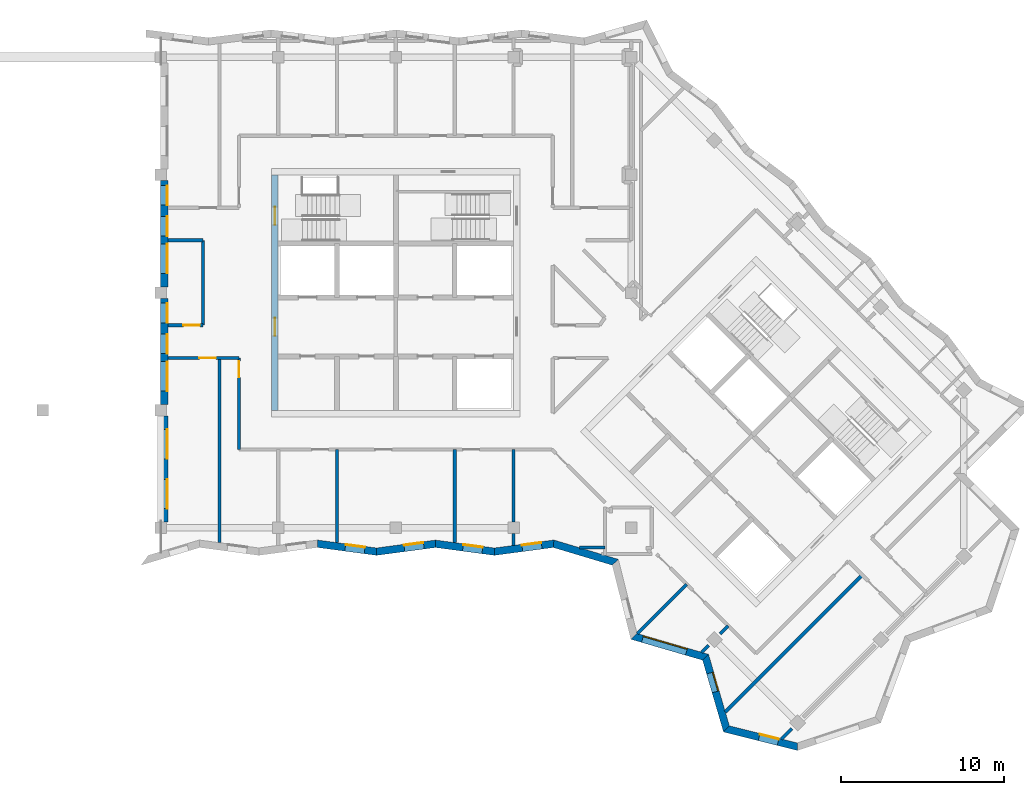
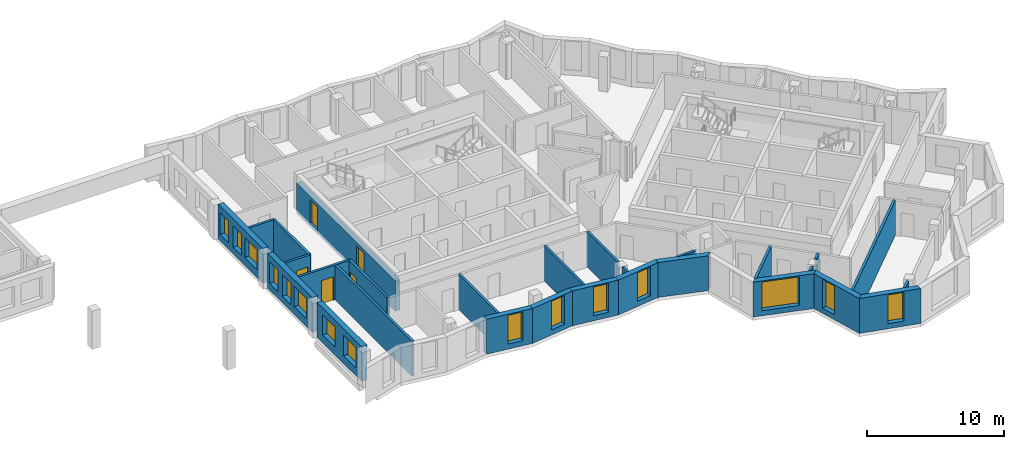
# One storey, part 2 of 13: 28 walls, 15 windows, 5 doors, 20 openings.
"""IFC4 building model written with IfcOpenShell, lengths in metres."""

from ifc_helpers import new_model, si_unit, direction, frame, frame_2d, origin, place, context, subcontext, project, spatial, polyline, rectangle, outline, extrude, material, layer, layer_set, type_object, element, fill, save


model = new_model("IFC4")

# Units and contexts
model_context = context("Model", 3, precision=1e-05, world=origin(), true_north=direction((0.0, 1.0)))
body_context = subcontext(model_context, "Body", "Model", "MODEL_VIEW")
ifc_project = project(units=[si_unit("LENGTHUNIT", "METRE"), si_unit("AREAUNIT", "SQUARE_METRE"), si_unit("VOLUMEUNIT", "CUBIC_METRE"), si_unit("PLANEANGLEUNIT", "RADIAN"), si_unit("MASSUNIT", "GRAM", prefix="KILO")], contexts=[model_context])

# Site, building, storey
site_placement = place(None, origin())
site = spatial("IfcSite", under=ifc_project, at=site_placement, CompositionType="ELEMENT")
building_placement = place(site_placement, origin())
building = spatial("IfcBuilding", under=site, at=building_placement, Name="Windrow Commons", CompositionType="ELEMENT")
storey_placement = place(building_placement, frame((0.0, 0.0, 264.2)))
storey = spatial("IfcBuildingStorey", under=building, at=storey_placement, Name="L72", CompositionType="ELEMENT", Elevation=264.2)

# Wall, opening, window
ifc_material_1 = material(Name="Brick masonry, red clay brick", Category="masonry")
ifc_layer_1 = layer(ifc_material_1, 0.45)
ifc_layer_set_1 = layer_set([ifc_layer_1], Name="Brick facade wall 450")
wall_type_1 = type_object("IfcWallType", Name="Brick facade wall 450", PredefinedType="SOLIDWALL", material=ifc_layer_set_1)
wall_1_placement = place(storey_placement, frame((60.0142, 42.227, 0.0), z_axis=(0.0, 0.0, 1.0), x_axis=(0.991178361, -0.132534738, 0.0)))
wall_1 = element("IfcWall", 1, at=wall_1_placement, inside=storey, type_object=wall_type_1, Name="Brick facade wall L72 41", PredefinedType="SOLIDWALL", context=body_context, shape_type="SweptSolid", body=[
    extrude(outline(polyline([(0.0301, -0.225), (3.6669, -0.225), (3.6067, 0.225), (-0.0301, 0.225), (0.0301, -0.225)])), origin(), (0.0, 0.0, 1.0), 3.1),
])
opening_1_placement = place(wall_1_placement, frame((1.7015, 0.0, 0.45)))
opening_1 = element("IfcOpeningElement", 2, at=opening_1_placement, cuts=wall_1, Name="Opening W7F", PredefinedType="OPENING", context=body_context, shape_type="SweptSolid", body=[
    extrude(rectangle(XDim=1.2, YDim=2.55, at=frame_2d((0.6, 1.275))), frame((0.0, 0.235, 0.0), z_axis=(0.0, -1.0, 0.0), x_axis=(1.0, 0.0, 0.0)), (0.0, 0.0, 1.0), 0.47),
])
ifc_material_2 = material(Name="Clear float glass in anodised aluminium frame", Category="aluminium")
window_type_1 = type_object("IfcWindowType", Name="Window W7 notch 1200x2550", PartitioningType="SINGLE_PANEL", PredefinedType="WINDOW", material=ifc_material_2)
window_1_placement = place(opening_1_placement, origin())
window_1 = element("IfcWindow", 3, at=window_1_placement, inside=storey, type_object=window_type_1, Name="Window L72 41.1", OverallHeight=2.55, OverallWidth=1.2, PartitioningType="SINGLE_PANEL", PredefinedType="WINDOW", context=body_context, shape_type="SweptSolid", body=[
    extrude(rectangle(XDim=1.2, YDim=2.55, at=frame_2d((0.6, 1.275))), frame((0.0, 0.205, 0.0), z_axis=(0.0, -1.0, 0.0), x_axis=(1.0, 0.0, 0.0)), (0.0, 0.0, 1.0), 0.06),
])
fill(opening_1, window_1)

wall_2_placement = place(storey_placement, frame((63.6189, 41.745, 0.0), z_axis=(0.0, 0.0, 1.0), x_axis=(0.9911788439, 0.1325311259, 0.0)))
wall_2 = element("IfcWall", 4, at=wall_2_placement, inside=storey, type_object=wall_type_1, Name="Brick facade wall L72 42", PredefinedType="SOLIDWALL", context=body_context, shape_type="SweptSolid", body=[
    extrude(outline(polyline([(-0.0301, -0.225), (3.6067, -0.225), (3.6669, 0.225), (0.0301, 0.225), (-0.0301, -0.225)])), origin(), (0.0, 0.0, 1.0), 3.1),
])
opening_2_placement = place(wall_2_placement, frame((1.7142, 0.0, 0.45)))
opening_2 = element("IfcOpeningElement", 5, at=opening_2_placement, cuts=wall_2, Name="Opening W7F", PredefinedType="OPENING", context=body_context, shape_type="SweptSolid", body=[
    extrude(rectangle(XDim=1.2, YDim=2.55, at=frame_2d((0.6, 1.275))), frame((0.0, 0.235, 0.0), z_axis=(0.0, -1.0, 0.0), x_axis=(1.0, 0.0, 0.0)), (0.0, 0.0, 1.0), 0.47),
])
window_2_placement = place(opening_2_placement, origin())
window_2 = element("IfcWindow", 6, at=window_2_placement, inside=storey, type_object=window_type_1, Name="Window L72 42.1", OverallHeight=2.55, OverallWidth=1.2, PartitioningType="SINGLE_PANEL", PredefinedType="WINDOW", context=body_context, shape_type="SweptSolid", body=[
    extrude(rectangle(XDim=1.2, YDim=2.55, at=frame_2d((0.6, 1.275))), frame((0.0, 0.205, 0.0), z_axis=(0.0, -1.0, 0.0), x_axis=(1.0, 0.0, 0.0)), (0.0, 0.0, 1.0), 0.06),
])
fill(opening_2, window_2)

wall_3_placement = place(storey_placement, frame((67.2237, 42.227, 0.0), z_axis=(0.0, 0.0, 1.0), x_axis=(0.991178361, -0.132534738, 0.0)))
wall_3 = element("IfcWall", 7, at=wall_3_placement, inside=storey, type_object=wall_type_1, Name="Brick facade wall L72 43", PredefinedType="SOLIDWALL", context=body_context, shape_type="SweptSolid", body=[
    extrude(outline(polyline([(0.0301, -0.225), (3.6669, -0.225), (3.6067, 0.225), (-0.0301, 0.225), (0.0301, -0.225)])), origin(), (0.0, 0.0, 1.0), 3.1),
])
opening_3_placement = place(wall_3_placement, frame((1.6968, 0.0, 0.45)))
opening_3 = element("IfcOpeningElement", 8, at=opening_3_placement, cuts=wall_3, Name="Opening W7F", PredefinedType="OPENING", context=body_context, shape_type="SweptSolid", body=[
    extrude(rectangle(XDim=1.2, YDim=2.55, at=frame_2d((0.6, 1.275))), frame((0.0, 0.235, 0.0), z_axis=(0.0, -1.0, 0.0), x_axis=(1.0, 0.0, 0.0)), (0.0, 0.0, 1.0), 0.47),
])
window_3_placement = place(opening_3_placement, origin())
window_3 = element("IfcWindow", 9, at=window_3_placement, inside=storey, type_object=window_type_1, Name="Window L72 43.1", OverallHeight=2.55, OverallWidth=1.2, PartitioningType="SINGLE_PANEL", PredefinedType="WINDOW", context=body_context, shape_type="SweptSolid", body=[
    extrude(rectangle(XDim=1.2, YDim=2.55, at=frame_2d((0.6, 1.275))), frame((0.0, 0.205, 0.0), z_axis=(0.0, -1.0, 0.0), x_axis=(1.0, 0.0, 0.0)), (0.0, 0.0, 1.0), 0.06),
])
fill(opening_3, window_3)

wall_4_placement = place(storey_placement, frame((70.8284, 41.745, 0.0), z_axis=(0.0, 0.0, 1.0), x_axis=(0.991180049, 0.1325221131, 0.0)))
wall_4 = element("IfcWall", 10, at=wall_4_placement, inside=storey, type_object=wall_type_1, Name="Brick facade wall L72 44", PredefinedType="SOLIDWALL", context=body_context, shape_type="SweptSolid", body=[
    extrude(outline(polyline([(-0.0301, -0.225), (3.6067, -0.225), (3.7037, 0.225), (0.0301, 0.225), (-0.0301, -0.225)])), origin(), (0.0, 0.0, 1.0), 3.1),
])
opening_4_placement = place(wall_4_placement, frame((1.7186, 0.0, 0.45)))
opening_4 = element("IfcOpeningElement", 11, at=opening_4_placement, cuts=wall_4, Name="Opening W7F", PredefinedType="OPENING", context=body_context, shape_type="SweptSolid", body=[
    extrude(rectangle(XDim=1.2, YDim=2.55, at=frame_2d((0.6, 1.275))), frame((0.0, 0.235, 0.0), z_axis=(0.0, -1.0, 0.0), x_axis=(1.0, 0.0, 0.0)), (0.0, 0.0, 1.0), 0.47),
])
window_4_placement = place(opening_4_placement, origin())
window_4 = element("IfcWindow", 12, at=window_4_placement, inside=storey, type_object=window_type_1, Name="Window L72 44.1", OverallHeight=2.55, OverallWidth=1.2, PartitioningType="SINGLE_PANEL", PredefinedType="WINDOW", context=body_context, shape_type="SweptSolid", body=[
    extrude(rectangle(XDim=1.2, YDim=2.55, at=frame_2d((0.6, 1.275))), frame((0.0, 0.205, 0.0), z_axis=(0.0, -1.0, 0.0), x_axis=(1.0, 0.0, 0.0)), (0.0, 0.0, 1.0), 0.06),
])
fill(opening_4, window_4)

# Wall
wall_5_placement = place(storey_placement, frame((74.4514, 42.2294, 0.0), z_axis=(0.0, 0.0, 1.0), x_axis=(0.957789952, -0.2874689685, 0.0)))
element("IfcWall", 13, at=wall_5_placement, inside=storey, type_object=wall_type_1, Name="Brick facade wall L72 45", PredefinedType="SOLIDWALL", context=body_context, shape_type="SweptSolid", body=[
    extrude(outline(polyline([(0.0485, -0.225), (3.8121, -0.225), (4.0677, 0.225), (-0.0485, 0.225), (0.0485, -0.225)])), origin(), (0.0, 0.0, 1.0), 3.1),
])

# Wall, opening, window
wall_6_placement = place(storey_placement, frame((79.3637, 36.5648, 0.0), z_axis=(0.0, 0.0, 1.0), x_axis=(0.9600215683, -0.2799260409, 0.0)))
wall_6 = element("IfcWall", 14, at=wall_6_placement, inside=storey, type_object=wall_type_1, Name="Brick facade wall L72 47", PredefinedType="SOLIDWALL", context=body_context, shape_type="SweptSolid", body=[
    extrude(outline(polyline([(-0.129, -0.225), (4.4456, -0.225), (4.6925, 0.225), (0.129, 0.225), (-0.129, -0.225)])), origin(), (0.0, 0.0, 1.0), 3.1),
])
opening_5_placement = place(wall_6_placement, frame((0.5542, 0.0, 0.45)))
opening_5 = element("IfcOpeningElement", 15, at=opening_5_placement, cuts=wall_6, Name="Opening W1V", PredefinedType="OPENING", context=body_context, shape_type="SweptSolid", body=[
    extrude(rectangle(XDim=2.8, YDim=2.55, at=frame_2d((1.4, 1.275))), frame((0.0, 0.235, 0.0), z_axis=(0.0, -1.0, 0.0), x_axis=(1.0, 0.0, 0.0)), (0.0, 0.0, 1.0), 0.47),
])
ifc_material_3 = material(Name="Clear float glass in anodised aluminium frame", Category="aluminium")
window_type_2 = type_object("IfcWindowType", Name="Window W1V bedroom 2800x2550", PartitioningType="SINGLE_PANEL", PredefinedType="WINDOW", material=ifc_material_3)
window_5_placement = place(opening_5_placement, origin())
window_5 = element("IfcWindow", 16, at=window_5_placement, inside=storey, type_object=window_type_2, Name="Window L72 47.1", OverallHeight=2.55, OverallWidth=2.8, PartitioningType="SINGLE_PANEL", PredefinedType="WINDOW", context=body_context, shape_type="SweptSolid", body=[
    extrude(rectangle(XDim=2.8, YDim=2.55, at=frame_2d((1.4, 1.275))), frame((0.0, 0.205, 0.0), z_axis=(0.0, -1.0, 0.0), x_axis=(1.0, 0.0, 0.0)), (0.0, 0.0, 1.0), 0.06),
])
fill(opening_5, window_5)

wall_7_placement = place(storey_placement, frame((83.7501, 35.2858, 0.0), z_axis=(0.0, 0.0, 1.0), x_axis=(0.2799260409, -0.9600215683, 0.0)))
wall_7 = element("IfcWall", 17, at=wall_7_placement, inside=storey, type_object=wall_type_1, Name="Brick facade wall L72 48", PredefinedType="SOLIDWALL", context=body_context, shape_type="SweptSolid", body=[
    extrude(outline(polyline([(0.1234, -0.225), (4.698, -0.225), (4.4401, 0.225), (-0.1234, 0.225), (0.1234, -0.225)])), origin(), (0.0, 0.0, 1.0), 3.1),
])
opening_6_placement = place(wall_7_placement, frame((1.003, 0.0, 0.45)))
opening_6 = element("IfcOpeningElement", 18, at=opening_6_placement, cuts=wall_7, Name="Opening W7F", PredefinedType="OPENING", context=body_context, shape_type="SweptSolid", body=[
    extrude(rectangle(XDim=1.2, YDim=2.55, at=frame_2d((0.6, 1.275))), frame((0.0, 0.235, 0.0), z_axis=(0.0, -1.0, 0.0), x_axis=(1.0, 0.0, 0.0)), (0.0, 0.0, 1.0), 0.47),
])
window_6_placement = place(opening_6_placement, origin())
window_6 = element("IfcWindow", 19, at=window_6_placement, inside=storey, type_object=window_type_1, Name="Window L72 48.1", OverallHeight=2.55, OverallWidth=1.2, PartitioningType="SINGLE_PANEL", PredefinedType="WINDOW", context=body_context, shape_type="SweptSolid", body=[
    extrude(rectangle(XDim=1.2, YDim=2.55, at=frame_2d((0.6, 1.275))), frame((0.0, 0.205, 0.0), z_axis=(0.0, -1.0, 0.0), x_axis=(1.0, 0.0, 0.0)), (0.0, 0.0, 1.0), 0.06),
])
fill(opening_6, window_6)

wall_8_placement = place(storey_placement, frame((85.0291, 30.8994, 0.0), z_axis=(0.0, 0.0, 1.0), x_axis=(0.9698515846, -0.2436963354, 0.0)))
wall_8 = element("IfcWall", 20, at=wall_8_placement, inside=storey, type_object=wall_type_1, Name="Brick facade wall L72 49", PredefinedType="SOLIDWALL", context=body_context, shape_type="SweptSolid", body=[
    extrude(outline(polyline([(-0.129, -0.225), (4.5451, -0.225), (4.4138, 0.225), (0.129, 0.225), (-0.129, -0.225)])), origin(), (0.0, 0.0, 1.0), 3.1),
])
opening_7_placement = place(wall_8_placement, frame((2.0637, 0.0, 0.45)))
opening_7 = element("IfcOpeningElement", 21, at=opening_7_placement, cuts=wall_8, Name="Opening W7F", PredefinedType="OPENING", context=body_context, shape_type="SweptSolid", body=[
    extrude(rectangle(XDim=1.2, YDim=2.55, at=frame_2d((0.6, 1.275))), frame((0.0, 0.235, 0.0), z_axis=(0.0, -1.0, 0.0), x_axis=(1.0, 0.0, 0.0)), (0.0, 0.0, 1.0), 0.47),
])
window_7_placement = place(opening_7_placement, origin())
window_7 = element("IfcWindow", 22, at=window_7_placement, inside=storey, type_object=window_type_1, Name="Window L72 49.1", OverallHeight=2.55, OverallWidth=1.2, PartitioningType="SINGLE_PANEL", PredefinedType="WINDOW", context=body_context, shape_type="SweptSolid", body=[
    extrude(rectangle(XDim=1.2, YDim=2.55, at=frame_2d((0.6, 1.275))), frame((0.0, 0.205, 0.0), z_axis=(0.0, -1.0, 0.0), x_axis=(1.0, 0.0, 0.0)), (0.0, 0.0, 1.0), 0.06),
])
fill(opening_7, window_7)

# Wall, openings, windows
wall_9_placement = place(storey_placement, frame((50.625, 64.45, 0.0), z_axis=(0.0, 0.0, 1.0), x_axis=(0.0, -1.0, 0.0)))
wall_9 = element("IfcWall", 23, at=wall_9_placement, inside=storey, type_object=wall_type_1, Name="Brick portal return L72 12.2", PredefinedType="SOLIDWALL", context=body_context, shape_type="SweptSolid", body=[
    extrude(rectangle(XDim=6.5, YDim=0.45, at=frame_2d((3.25, 0.0))), origin(), (0.0, 0.0, 1.0), 3.1),
])
opening_8_placement = place(wall_9_placement, frame((3.875, 0.0, 0.7)))
opening_8 = element("IfcOpeningElement", 24, at=opening_8_placement, cuts=wall_9, Name="Opening W8", PredefinedType="OPENING", context=body_context, shape_type="SweptSolid", body=[
    extrude(rectangle(XDim=1.8, YDim=1.8, at=frame_2d((0.9, 0.9))), frame((0.0, 0.235, 0.0), z_axis=(0.0, -1.0, 0.0), x_axis=(1.0, 0.0, 0.0)), (0.0, 0.0, 1.0), 0.47),
])
opening_9_placement = place(wall_9_placement, frame((0.3, 0.0, 0.6)))
opening_9 = element("IfcOpeningElement", 25, at=opening_9_placement, cuts=wall_9, Name="Opening W7G", PredefinedType="OPENING", context=body_context, shape_type="SweptSolid", body=[
    extrude(rectangle(XDim=1.2, YDim=1.9, at=frame_2d((0.6, 0.95))), frame((0.0, 0.235, 0.0), z_axis=(0.0, -1.0, 0.0), x_axis=(1.0, 0.0, 0.0)), (0.0, 0.0, 1.0), 0.47),
])
opening_10_placement = place(wall_9_placement, frame((2.1875, 0.0, 0.6)))
opening_10 = element("IfcOpeningElement", 26, at=opening_10_placement, cuts=wall_9, Name="Opening W7G", PredefinedType="OPENING", context=body_context, shape_type="SweptSolid", body=[
    extrude(rectangle(XDim=1.2, YDim=1.9, at=frame_2d((0.6, 0.95))), frame((0.0, 0.235, 0.0), z_axis=(0.0, -1.0, 0.0), x_axis=(1.0, 0.0, 0.0)), (0.0, 0.0, 1.0), 0.47),
])
ifc_material_4 = material(Name="Clear float glass in anodised aluminium frame", Category="aluminium")
window_type_3 = type_object("IfcWindowType", Name="Window W7 notch 1200x1900", PartitioningType="SINGLE_PANEL", PredefinedType="WINDOW", material=ifc_material_4)
window_8_placement = place(opening_9_placement, origin())
window_8 = element("IfcWindow", 27, at=window_8_placement, inside=storey, type_object=window_type_3, Name="Window L72 portal 12.2.1A", OverallHeight=1.9, OverallWidth=1.2, PartitioningType="SINGLE_PANEL", PredefinedType="WINDOW", context=body_context, shape_type="SweptSolid", body=[
    extrude(rectangle(XDim=1.2, YDim=1.9, at=frame_2d((0.6, 0.95))), frame((0.0, 0.205, 0.0), z_axis=(0.0, -1.0, 0.0), x_axis=(1.0, 0.0, 0.0)), (0.0, 0.0, 1.0), 0.06),
])
fill(opening_9, window_8)
window_9_placement = place(opening_10_placement, origin())
window_9 = element("IfcWindow", 28, at=window_9_placement, inside=storey, type_object=window_type_3, Name="Window L72 portal 12.2.1B", OverallHeight=1.9, OverallWidth=1.2, PartitioningType="SINGLE_PANEL", PredefinedType="WINDOW", context=body_context, shape_type="SweptSolid", body=[
    extrude(rectangle(XDim=1.2, YDim=1.9, at=frame_2d((0.6, 0.95))), frame((0.0, 0.205, 0.0), z_axis=(0.0, -1.0, 0.0), x_axis=(1.0, 0.0, 0.0)), (0.0, 0.0, 1.0), 0.06),
])
fill(opening_10, window_9)
ifc_material_5 = material(Name="Clear float glass in anodised aluminium frame", Category="aluminium")
window_type_4 = type_object("IfcWindowType", Name="Window W8 portal 1800x1800", PartitioningType="SINGLE_PANEL", PredefinedType="WINDOW", material=ifc_material_5)
window_10_placement = place(opening_8_placement, origin())
window_10 = element("IfcWindow", 29, at=window_10_placement, inside=storey, type_object=window_type_4, Name="Window L72 portal 12.2.2", OverallHeight=1.8, OverallWidth=1.8, PartitioningType="SINGLE_PANEL", PredefinedType="WINDOW", context=body_context, shape_type="SweptSolid", body=[
    extrude(rectangle(XDim=1.8, YDim=1.8, at=frame_2d((0.9, 0.9))), frame((0.0, 0.205, 0.0), z_axis=(0.0, -1.0, 0.0), x_axis=(1.0, 0.0, 0.0)), (0.0, 0.0, 1.0), 0.06),
])
fill(opening_8, window_10)

wall_10_placement = place(storey_placement, frame((50.625, 57.25, 0.0), z_axis=(0.0, 0.0, 1.0), x_axis=(0.0, -1.0, 0.0)))
wall_10 = element("IfcWall", 30, at=wall_10_placement, inside=storey, type_object=wall_type_1, Name="Brick portal return L72 12.3", PredefinedType="SOLIDWALL", context=body_context, shape_type="SweptSolid", body=[
    extrude(rectangle(XDim=6.5, YDim=0.45, at=frame_2d((3.25, 0.0))), origin(), (0.0, 0.0, 1.0), 3.1),
])
opening_11_placement = place(wall_10_placement, frame((3.875, 0.0, 0.7)))
opening_11 = element("IfcOpeningElement", 31, at=opening_11_placement, cuts=wall_10, Name="Opening W8", PredefinedType="OPENING", context=body_context, shape_type="SweptSolid", body=[
    extrude(rectangle(XDim=1.8, YDim=1.8, at=frame_2d((0.9, 0.9))), frame((0.0, 0.235, 0.0), z_axis=(0.0, -1.0, 0.0), x_axis=(1.0, 0.0, 0.0)), (0.0, 0.0, 1.0), 0.47),
])
opening_12_placement = place(wall_10_placement, frame((0.3, 0.0, 0.6)))
opening_12 = element("IfcOpeningElement", 32, at=opening_12_placement, cuts=wall_10, Name="Opening W7G", PredefinedType="OPENING", context=body_context, shape_type="SweptSolid", body=[
    extrude(rectangle(XDim=1.2, YDim=1.9, at=frame_2d((0.6, 0.95))), frame((0.0, 0.235, 0.0), z_axis=(0.0, -1.0, 0.0), x_axis=(1.0, 0.0, 0.0)), (0.0, 0.0, 1.0), 0.47),
])
opening_13_placement = place(wall_10_placement, frame((2.1875, 0.0, 0.6)))
opening_13 = element("IfcOpeningElement", 33, at=opening_13_placement, cuts=wall_10, Name="Opening W7G", PredefinedType="OPENING", context=body_context, shape_type="SweptSolid", body=[
    extrude(rectangle(XDim=1.2, YDim=1.9, at=frame_2d((0.6, 0.95))), frame((0.0, 0.235, 0.0), z_axis=(0.0, -1.0, 0.0), x_axis=(1.0, 0.0, 0.0)), (0.0, 0.0, 1.0), 0.47),
])
window_11_placement = place(opening_12_placement, origin())
window_11 = element("IfcWindow", 34, at=window_11_placement, inside=storey, type_object=window_type_3, Name="Window L72 portal 12.3.1A", OverallHeight=1.9, OverallWidth=1.2, PartitioningType="SINGLE_PANEL", PredefinedType="WINDOW", context=body_context, shape_type="SweptSolid", body=[
    extrude(rectangle(XDim=1.2, YDim=1.9, at=frame_2d((0.6, 0.95))), frame((0.0, 0.205, 0.0), z_axis=(0.0, -1.0, 0.0), x_axis=(1.0, 0.0, 0.0)), (0.0, 0.0, 1.0), 0.06),
])
fill(opening_12, window_11)
window_12_placement = place(opening_13_placement, origin())
window_12 = element("IfcWindow", 35, at=window_12_placement, inside=storey, type_object=window_type_3, Name="Window L72 portal 12.3.1B", OverallHeight=1.9, OverallWidth=1.2, PartitioningType="SINGLE_PANEL", PredefinedType="WINDOW", context=body_context, shape_type="SweptSolid", body=[
    extrude(rectangle(XDim=1.2, YDim=1.9, at=frame_2d((0.6, 0.95))), frame((0.0, 0.205, 0.0), z_axis=(0.0, -1.0, 0.0), x_axis=(1.0, 0.0, 0.0)), (0.0, 0.0, 1.0), 0.06),
])
fill(opening_13, window_12)
window_13_placement = place(opening_11_placement, origin())
window_13 = element("IfcWindow", 36, at=window_13_placement, inside=storey, type_object=window_type_4, Name="Window L72 portal 12.3.2", OverallHeight=1.8, OverallWidth=1.8, PartitioningType="SINGLE_PANEL", PredefinedType="WINDOW", context=body_context, shape_type="SweptSolid", body=[
    extrude(rectangle(XDim=1.8, YDim=1.8, at=frame_2d((0.9, 0.9))), frame((0.0, 0.205, 0.0), z_axis=(0.0, -1.0, 0.0), x_axis=(1.0, 0.0, 0.0)), (0.0, 0.0, 1.0), 0.06),
])
fill(opening_11, window_13)

wall_11_placement = place(storey_placement, frame((50.625, 50.05, 0.0), z_axis=(0.0, 0.0, 1.0), x_axis=(0.0, -1.0, 0.0)))
wall_11 = element("IfcWall", 37, at=wall_11_placement, inside=storey, type_object=wall_type_1, Name="Brick portal return L72 12.4", PredefinedType="SOLIDWALL", context=body_context, shape_type="SweptSolid", body=[
    extrude(rectangle(XDim=6.5, YDim=0.45, at=frame_2d((3.25, 0.0))), origin(), (0.0, 0.0, 1.0), 3.1),
])
opening_14_placement = place(wall_11_placement, frame((0.825, 0.0, 0.7)))
opening_14 = element("IfcOpeningElement", 38, at=opening_14_placement, cuts=wall_11, Name="Opening W8", PredefinedType="OPENING", context=body_context, shape_type="SweptSolid", body=[
    extrude(rectangle(XDim=1.8, YDim=1.8, at=frame_2d((0.9, 0.9))), frame((0.0, 0.235, 0.0), z_axis=(0.0, -1.0, 0.0), x_axis=(1.0, 0.0, 0.0)), (0.0, 0.0, 1.0), 0.47),
])
opening_15_placement = place(wall_11_placement, frame((3.875, 0.0, 0.7)))
opening_15 = element("IfcOpeningElement", 39, at=opening_15_placement, cuts=wall_11, Name="Opening W8", PredefinedType="OPENING", context=body_context, shape_type="SweptSolid", body=[
    extrude(rectangle(XDim=1.8, YDim=1.8, at=frame_2d((0.9, 0.9))), frame((0.0, 0.235, 0.0), z_axis=(0.0, -1.0, 0.0), x_axis=(1.0, 0.0, 0.0)), (0.0, 0.0, 1.0), 0.47),
])
window_14_placement = place(opening_14_placement, origin())
window_14 = element("IfcWindow", 40, at=window_14_placement, inside=storey, type_object=window_type_4, Name="Window L72 portal 12.4.1", OverallHeight=1.8, OverallWidth=1.8, PartitioningType="SINGLE_PANEL", PredefinedType="WINDOW", context=body_context, shape_type="SweptSolid", body=[
    extrude(rectangle(XDim=1.8, YDim=1.8, at=frame_2d((0.9, 0.9))), frame((0.0, 0.205, 0.0), z_axis=(0.0, -1.0, 0.0), x_axis=(1.0, 0.0, 0.0)), (0.0, 0.0, 1.0), 0.06),
])
fill(opening_14, window_14)
window_15_placement = place(opening_15_placement, origin())
window_15 = element("IfcWindow", 41, at=window_15_placement, inside=storey, type_object=window_type_4, Name="Window L72 portal 12.4.2", OverallHeight=1.8, OverallWidth=1.8, PartitioningType="SINGLE_PANEL", PredefinedType="WINDOW", context=body_context, shape_type="SweptSolid", body=[
    extrude(rectangle(XDim=1.8, YDim=1.8, at=frame_2d((0.9, 0.9))), frame((0.0, 0.205, 0.0), z_axis=(0.0, -1.0, 0.0), x_axis=(1.0, 0.0, 0.0)), (0.0, 0.0, 1.0), 0.06),
])
fill(opening_15, window_15)

# Wall, opening, door
ifc_material_6 = material(Name="Blockwork partition", Category="masonry")
ifc_layer_2 = layer(ifc_material_6, 0.2)
ifc_layer_set_2 = layer_set([ifc_layer_2], Name="IW-CORRIDOR-200")
wall_type_2 = type_object("IfcWallType", Name="IW-CORRIDOR-200", PredefinedType="PARTITIONING", material=ifc_layer_set_2)
wall_12_placement = place(storey_placement, frame((55.2, 48.0, 0.0), z_axis=(0.0, 0.0, 1.0), x_axis=(0.0, 1.0, 0.0)))
wall_12 = element("IfcWall", 42, at=wall_12_placement, inside=storey, type_object=wall_type_2, Name="W-L72-W017", PredefinedType="PARTITIONING", context=body_context, shape_type="SweptSolid", body=[
    extrude(rectangle(XDim=5.6, YDim=0.2, at=frame_2d((2.8, 0.0))), origin(), (0.0, 0.0, 1.0), 3.1),
])
opening_16_placement = place(wall_12_placement, frame((4.4058, 0.0, 0.0)))
opening_16 = element("IfcOpeningElement", 43, at=opening_16_placement, cuts=wall_12, Name="Opening D310F", PredefinedType="OPENING", context=body_context, shape_type="SweptSolid", body=[
    extrude(rectangle(XDim=1.0, YDim=2.1, at=frame_2d((0.5, 1.05))), frame((0.0, 0.11, 0.0), z_axis=(0.0, -1.0, 0.0), x_axis=(1.0, 0.0, 0.0)), (0.0, 0.0, 1.0), 0.22),
])
ifc_material_7 = material(Name="Timber door leaf", Category="wood")
door_type_1 = type_object("IfcDoorType", Name="DT-AMENITY-1000", OperationType="SINGLE_SWING_LEFT", PredefinedType="DOOR", material=ifc_material_7)
door_1_placement = place(opening_16_placement, origin())
door_1 = element("IfcDoor", 44, at=door_1_placement, inside=storey, type_object=door_type_1, Name="D-L72-D001", OperationType="SINGLE_SWING_RIGHT", OverallHeight=2.1, OverallWidth=1.0, PredefinedType="DOOR", context=body_context, shape_type="SweptSolid", body=[
    extrude(rectangle(XDim=1.0, YDim=2.1, at=frame_2d((0.5, 1.05))), frame((0.0, 0.025, 0.0), z_axis=(0.0, -1.0, 0.0), x_axis=(1.0, 0.0, 0.0)), (0.0, 0.0, 1.0), 0.05),
])
fill(opening_16, door_1)

# Wall
wall_13_placement = place(storey_placement, frame((53.0, 55.602, 0.0), z_axis=(0.0, 0.0, 1.0), x_axis=(0.0, 1.0, 0.0)))
element("IfcWall", 45, at=wall_13_placement, inside=storey, type_object=wall_type_2, Name="W-L72-W021", PredefinedType="PARTITIONING", context=body_context, shape_type="SweptSolid", body=[
    extrude(rectangle(XDim=5.198, YDim=0.2, at=frame_2d((2.599, 0.0))), origin(), (0.0, 0.0, 1.0), 3.1),
])

# Wall, opening, door
wall_14_placement = place(storey_placement, frame((50.85, 53.6, 0.0), z_axis=(0.0, 0.0, 1.0), x_axis=(1.0, 0.0, 0.0)))
wall_14 = element("IfcWall", 46, at=wall_14_placement, inside=storey, type_object=wall_type_2, Name="W-L72-W036", PredefinedType="PARTITIONING", context=body_context, shape_type="SweptSolid", body=[
    extrude(rectangle(XDim=4.35, YDim=0.2, at=frame_2d((2.175, 0.0))), origin(), (0.0, 0.0, 1.0), 3.1),
])
opening_17_placement = place(wall_14_placement, frame((1.9314, 0.0, 0.0)))
opening_17 = element("IfcOpeningElement", 47, at=opening_17_placement, cuts=wall_14, Name="Opening D310F", PredefinedType="OPENING", context=body_context, shape_type="SweptSolid", body=[
    extrude(rectangle(XDim=1.0, YDim=2.1, at=frame_2d((0.5, 1.05))), frame((0.0, 0.11, 0.0), z_axis=(0.0, -1.0, 0.0), x_axis=(1.0, 0.0, 0.0)), (0.0, 0.0, 1.0), 0.22),
])
door_2_placement = place(opening_17_placement, origin())
door_2 = element("IfcDoor", 48, at=door_2_placement, inside=storey, type_object=door_type_1, Name="D-L72-D000", OperationType="SINGLE_SWING_LEFT", OverallHeight=2.1, OverallWidth=1.0, PredefinedType="DOOR", context=body_context, shape_type="SweptSolid", body=[
    extrude(rectangle(XDim=1.0, YDim=2.1, at=frame_2d((0.5, 1.05))), frame((0.0, 0.025, 0.0), z_axis=(0.0, -1.0, 0.0), x_axis=(1.0, 0.0, 0.0)), (0.0, 0.0, 1.0), 0.05),
])
fill(opening_17, door_2)

wall_15_placement = place(storey_placement, frame((50.85, 55.6, 0.0), z_axis=(0.0, 0.0, 1.0), x_axis=(1.0, 0.0, 0.0)))
wall_15 = element("IfcWall", 49, at=wall_15_placement, inside=storey, type_object=wall_type_2, Name="W-L72-W062", PredefinedType="PARTITIONING", context=body_context, shape_type="SweptSolid", body=[
    extrude(rectangle(XDim=2.15, YDim=0.2, at=frame_2d((1.075, 0.0))), origin(), (0.0, 0.0, 1.0), 3.1),
])
opening_18_placement = place(wall_15_placement, frame((0.9522, 0.0, 0.0)))
opening_18 = element("IfcOpeningElement", 50, at=opening_18_placement, cuts=wall_15, Name="Opening D410F", PredefinedType="OPENING", context=body_context, shape_type="SweptSolid", body=[
    extrude(rectangle(XDim=1.0, YDim=2.1, at=frame_2d((0.5, 1.05))), frame((0.0, 0.11, 0.0), z_axis=(0.0, -1.0, 0.0), x_axis=(1.0, 0.0, 0.0)), (0.0, 0.0, 1.0), 0.22),
])
ifc_material_8 = material(Name="Timber door leaf", Category="wood")
door_type_2 = type_object("IfcDoorType", Name="DT-SERVICE-1000", OperationType="SINGLE_SWING_LEFT", PredefinedType="DOOR", material=ifc_material_8)
door_3_placement = place(opening_18_placement, origin())
door_3 = element("IfcDoor", 51, at=door_3_placement, inside=storey, type_object=door_type_2, Name="D-L72-D008", OperationType="SINGLE_SWING_RIGHT", OverallHeight=2.1, OverallWidth=1.0, PredefinedType="DOOR", context=body_context, shape_type="SweptSolid", body=[
    extrude(rectangle(XDim=1.0, YDim=2.1, at=frame_2d((0.5, 1.05))), frame((0.0, 0.025, 0.0), z_axis=(0.0, -1.0, 0.0), x_axis=(1.0, 0.0, 0.0)), (0.0, 0.0, 1.0), 0.05),
])
fill(opening_18, door_3)

# Walls
wall_16_placement = place(storey_placement, frame((50.85, 60.8, 0.0), z_axis=(0.0, 0.0, 1.0), x_axis=(1.0, 0.0, 0.0)))
element("IfcWall", 52, at=wall_16_placement, inside=storey, type_object=wall_type_2, Name="W-L72-W063", PredefinedType="PARTITIONING", context=body_context, shape_type="SweptSolid", body=[
    extrude(rectangle(XDim=2.15, YDim=0.2, at=frame_2d((1.075, 0.0))), origin(), (0.0, 0.0, 1.0), 3.1),
])
ifc_material_9 = material(Name="Blockwork partition", Category="masonry")
ifc_layer_3 = layer(ifc_material_9, 0.2)
ifc_layer_set_3 = layer_set([ifc_layer_3], Name="IW-PARTY-200")
wall_type_3 = type_object("IfcWallType", Name="IW-PARTY-200", PredefinedType="PARTITIONING", material=ifc_layer_set_3)
wall_17_placement = place(storey_placement, frame((84.9598, 31.9409, 0.0), z_axis=(0.0, 0.0, 1.0), x_axis=(0.707102563, 0.7071109994, 0.0)))
element("IfcWall", 53, at=wall_17_placement, inside=storey, type_object=wall_type_3, Name="W-L72-W003", PredefinedType="PARTITIONING", context=body_context, shape_type="SweptSolid", body=[
    extrude(rectangle(XDim=11.8534, YDim=0.2, at=frame_2d((5.9267, 0.0))), origin(), (0.0, 0.0, 1.0), 3.1),
])
wall_18_placement = place(storey_placement, frame((54.0, 42.2942, 0.0), z_axis=(0.0, 0.0, 1.0), x_axis=(0.0, 1.0, 0.0)))
element("IfcWall", 54, at=wall_18_placement, inside=storey, type_object=wall_type_3, Name="W-L72-W004", PredefinedType="PARTITIONING", context=body_context, shape_type="SweptSolid", body=[
    extrude(rectangle(XDim=11.3058, YDim=0.2, at=frame_2d((5.6529, 0.0))), origin(), (0.0, 0.0, 1.0), 3.1),
])
wall_19_placement = place(storey_placement, frame((61.2, 42.2954, 0.0), z_axis=(0.0, 0.0, 1.0), x_axis=(0.0, 1.0, 0.0)))
element("IfcWall", 55, at=wall_19_placement, inside=storey, type_object=wall_type_3, Name="W-L72-W015", PredefinedType="PARTITIONING", context=body_context, shape_type="SweptSolid", body=[
    extrude(rectangle(XDim=5.7046, YDim=0.2, at=frame_2d((2.8523, 0.0))), origin(), (0.0, 0.0, 1.0), 3.1),
])
wall_20_placement = place(storey_placement, frame((68.4, 42.2967, 0.0), z_axis=(0.0, 0.0, 1.0), x_axis=(0.0, 1.0, 0.0)))
element("IfcWall", 56, at=wall_20_placement, inside=storey, type_object=wall_type_3, Name="W-L72-W016", PredefinedType="PARTITIONING", context=body_context, shape_type="SweptSolid", body=[
    extrude(rectangle(XDim=5.7033, YDim=0.2, at=frame_2d((2.8516, 0.0))), origin(), (0.0, 0.0, 1.0), 3.1),
])
wall_21_placement = place(storey_placement, frame((72.0, 43.55, 0.0), z_axis=(0.0, 0.0, 1.0), x_axis=(0.0, 1.0, 0.0)))
element("IfcWall", 57, at=wall_21_placement, inside=storey, type_object=wall_type_3, Name="W-L72-W032", PredefinedType="PARTITIONING", context=body_context, shape_type="SweptSolid", body=[
    extrude(rectangle(XDim=4.45, YDim=0.2, at=frame_2d((2.225, 0.0))), origin(), (0.0, 0.0, 1.0), 3.1),
])
wall_22_placement = place(storey_placement, frame((79.5743, 36.7377, 0.0), z_axis=(0.0, 0.0, 1.0), x_axis=(0.7071067812, 0.7071067812, 0.0)))
element("IfcWall", 58, at=wall_22_placement, inside=storey, type_object=wall_type_3, Name="W-L72-W038", PredefinedType="PARTITIONING", context=body_context, shape_type="SweptSolid", body=[
    extrude(rectangle(XDim=4.2695, YDim=0.2, at=frame_2d((2.1347, 0.0))), origin(), (0.0, 0.0, 1.0), 3.1),
])
wall_23_placement = place(storey_placement, frame((76.0484, 42.0, 0.0), z_axis=(0.0, 0.0, 1.0), x_axis=(1.0, 0.0, 0.0)))
element("IfcWall", 59, at=wall_23_placement, inside=storey, type_object=wall_type_3, Name="W-L72-W069", PredefinedType="PARTITIONING", context=body_context, shape_type="SweptSolid", body=[
    extrude(rectangle(XDim=1.5516, YDim=0.2, at=frame_2d((0.7758, 0.0))), origin(), (0.0, 0.0, 1.0), 3.1),
])
wall_24_placement = place(storey_placement, frame((88.3928, 30.2862, 0.0), z_axis=(0.0, 0.0, 1.0), x_axis=(0.7083277461, 0.7058837043, 0.0)))
element("IfcWall", 60, at=wall_24_placement, inside=storey, type_object=wall_type_3, Name="W-L72-W076", PredefinedType="PARTITIONING", context=body_context, shape_type="SweptSolid", body=[
    extrude(rectangle(XDim=0.9001, YDim=0.2, at=frame_2d((0.4501, 0.0))), origin(), (0.0, 0.0, 1.0), 3.1),
])
wall_25_placement = place(storey_placement, frame((84.6408, 36.7132, 0.0), z_axis=(0.0, 0.0, 1.0), x_axis=(0.7071067812, 0.7071067812, 0.0)))
element("IfcWall", 61, at=wall_25_placement, inside=storey, type_object=wall_type_3, Name="W-L72-W084", PredefinedType="PARTITIONING", context=body_context, shape_type="SweptSolid", body=[
    extrude(rectangle(XDim=0.7043, YDim=0.2, at=frame_2d((0.3522, 0.0))), origin(), (0.0, 0.0, 1.0), 3.1),
])
wall_26_placement = place(storey_placement, frame((72.0, 42.1287, 0.0), z_axis=(0.0, 0.0, 1.0), x_axis=(0.0, 1.0, 0.0)))
element("IfcWall", 62, at=wall_26_placement, inside=storey, type_object=wall_type_3, Name="W-L72-W086", PredefinedType="PARTITIONING", context=body_context, shape_type="SweptSolid", body=[
    extrude(rectangle(XDim=0.7213, YDim=0.2, at=frame_2d((0.3607, 0.0))), origin(), (0.0, 0.0, 1.0), 3.1),
])
wall_27_placement = place(storey_placement, frame((83.5161, 35.5884, 0.0), z_axis=(0.0, 0.0, 1.0), x_axis=(0.7070235383, 0.7071900143, 0.0)))
element("IfcWall", 63, at=wall_27_placement, inside=storey, type_object=wall_type_3, Name="W-L72-W093", PredefinedType="PARTITIONING", context=body_context, shape_type="SweptSolid", body=[
    extrude(rectangle(XDim=0.6007, YDim=0.2, at=frame_2d((0.3004, 0.0))), origin(), (0.0, 0.0, 1.0), 3.1),
])

# Wall, openings, doors
ifc_material_10 = material(Name="Concrete C40/50", Category="concrete")
ifc_layer_4 = layer(ifc_material_10, 0.4)
ifc_layer_set_4 = layer_set([ifc_layer_4], Name="RC CORE WALL 400 C40/50")
wall_type_4 = type_object("IfcWallType", Name="RC CORE WALL 400 C40/50", PredefinedType="SHEAR", material=ifc_layer_set_4)
wall_28_placement = place(storey_placement, frame((57.4, 50.4, -0.3), z_axis=(0.0, 0.0, 1.0), x_axis=(0.0, 1.0, 0.0)))
wall_28 = element("IfcWall", 64, at=wall_28_placement, inside=storey, type_object=wall_type_4, Name="Core A wall outer-W", PredefinedType="SHEAR", context=body_context, shape_type="SweptSolid", body=[
    extrude(rectangle(XDim=14.4, YDim=0.4, at=frame_2d((7.2, 0.0))), origin(), (0.0, 0.0, 1.0), 2.7),
])
opening_19_placement = place(wall_28_placement, frame((4.55, 0.0, 0.3)))
opening_19 = element("IfcOpeningElement", 65, at=opening_19_placement, cuts=wall_28, Name="Opening D6", PredefinedType="OPENING", context=body_context, shape_type="SweptSolid", body=[
    extrude(rectangle(XDim=1.1, YDim=2.1, at=frame_2d((0.55, 1.05))), frame((0.0, 0.21, 0.0), z_axis=(0.0, -1.0, 0.0), x_axis=(1.0, 0.0, 0.0)), (0.0, 0.0, 1.0), 0.42),
])
opening_20_placement = place(wall_28_placement, frame((11.35, 0.0, 0.3)))
opening_20 = element("IfcOpeningElement", 66, at=opening_20_placement, cuts=wall_28, Name="Opening D7", PredefinedType="OPENING", context=body_context, shape_type="SweptSolid", body=[
    extrude(rectangle(XDim=1.1, YDim=2.1, at=frame_2d((0.55, 1.05))), frame((0.0, 0.21, 0.0), z_axis=(0.0, -1.0, 0.0), x_axis=(1.0, 0.0, 0.0)), (0.0, 0.0, 1.0), 0.42),
])
ifc_material_11 = material(Name="Steel fire door leaf", Category="steel")
door_type_3 = type_object("IfcDoorType", Name="Core lobby door 1100", OperationType="SINGLE_SWING_LEFT", PredefinedType="DOOR", material=ifc_material_11)
door_4_placement = place(opening_19_placement, origin())
door_4 = element("IfcDoor", 67, at=door_4_placement, inside=storey, type_object=door_type_3, Name="Lift lobby door", OperationType="DOUBLE_DOOR_SINGLE_SWING", OverallHeight=2.1, OverallWidth=1.1, PredefinedType="DOOR", context=body_context, shape_type="SweptSolid", body=[
    extrude(rectangle(XDim=1.1, YDim=2.1, at=frame_2d((0.55, 1.05))), frame((0.0, 0.025, 0.0), z_axis=(0.0, -1.0, 0.0), x_axis=(1.0, 0.0, 0.0)), (0.0, 0.0, 1.0), 0.05),
])
fill(opening_19, door_4)
ifc_material_12 = material(Name="Steel fire door leaf", Category="steel")
door_type_4 = type_object("IfcDoorType", Name="Stair door 1100", OperationType="SINGLE_SWING_LEFT", PredefinedType="DOOR", material=ifc_material_12)
door_5_placement = place(opening_20_placement, origin())
door_5 = element("IfcDoor", 68, at=door_5_placement, inside=storey, type_object=door_type_4, Name="Stair door", OperationType="SINGLE_SWING_LEFT", OverallHeight=2.1, OverallWidth=1.1, PredefinedType="DOOR", context=body_context, shape_type="SweptSolid", body=[
    extrude(rectangle(XDim=1.1, YDim=2.1, at=frame_2d((0.55, 1.05))), frame((0.0, 0.025, 0.0), z_axis=(0.0, -1.0, 0.0), x_axis=(1.0, 0.0, 0.0)), (0.0, 0.0, 1.0), 0.05),
])
fill(opening_20, door_5)

save(model, "model.ifc")
